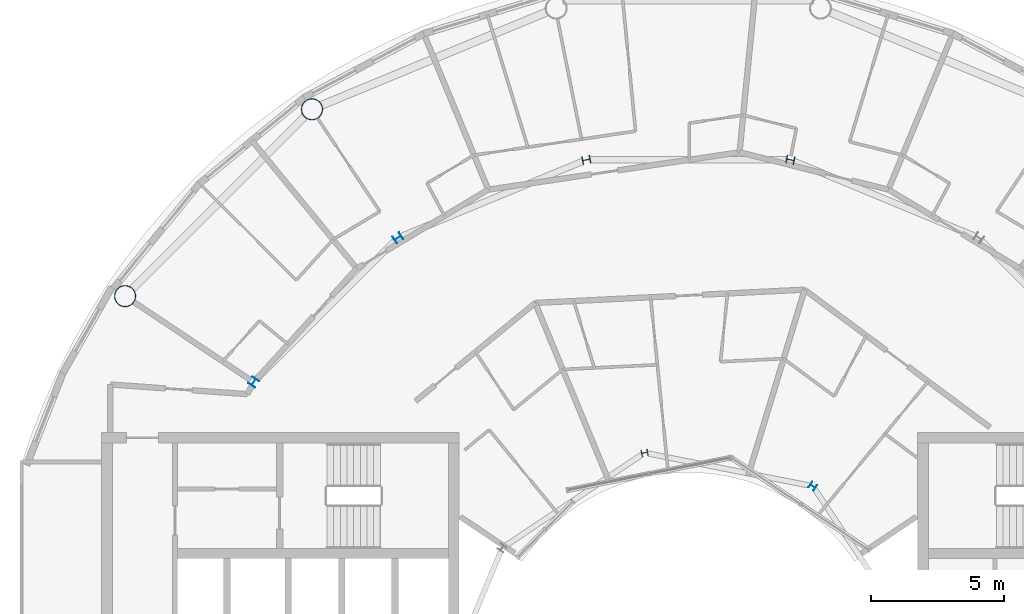
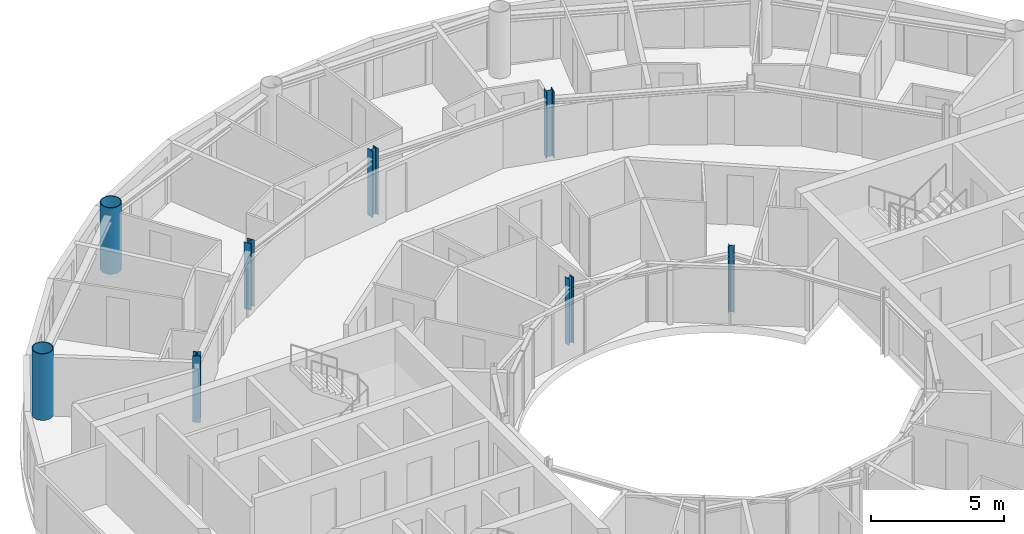
# One storey, part 4 of 22: 8 columns.
"""IFC4 building model written with IfcOpenShell, lengths in metres."""

from ifc_helpers import new_model, si_unit, direction, frame, origin, origin_2d, place, context, subcontext, project, spatial, hollow_circle, i_section, extrude, material, material_profile, profile_set, type_object, element, save


model = new_model("IFC4")

# Units and contexts
model_context = context("Model", 3, precision=1e-05, world=origin(), true_north=direction((0.0, 1.0)))
body_context = subcontext(model_context, "Body", "Model", "MODEL_VIEW")
ifc_project = project(units=[si_unit("LENGTHUNIT", "METRE"), si_unit("AREAUNIT", "SQUARE_METRE"), si_unit("VOLUMEUNIT", "CUBIC_METRE"), si_unit("PLANEANGLEUNIT", "RADIAN"), si_unit("MASSUNIT", "GRAM", prefix="KILO")], contexts=[model_context])

# Site, building, storey
site_placement = place(None, origin())
site = spatial("IfcSite", under=ifc_project, at=site_placement, CompositionType="ELEMENT")
building_placement = place(site_placement, origin())
building = spatial("IfcBuilding", under=site, at=building_placement, Name="Maasbend Ring Residences", CompositionType="ELEMENT")
storey_placement = place(building_placement, frame((0.0, 0.0, 237.10009765625)))
storey = spatial("IfcBuildingStorey", under=building, at=storey_placement, Name="L68", CompositionType="ELEMENT", Elevation=237.10009765625)

# Columns
ifc_material_1 = material(Name="Composite concrete-filled steel tube S460NH / C80/95", Category="concrete")
ifc_material_profile_1 = material_profile(ifc_material_1, hollow_circle(Radius=0.406494140625, WallThickness=0.030029296875, at=origin_2d()), Name="Composite tube column CHS 813x30")
ifc_profile_set_1 = profile_set([ifc_material_profile_1], Name="Composite concrete-filled steel tube S460NH / C80/95")
column_type_1 = type_object("IfcColumnType", Name="Composite tube column CHS 813x30", PredefinedType="COLUMN", material=ifc_profile_set_1)
for number, where, z_axis, x_axis, name in (
    (1, (-14.111572265625, 21.119384765625, 0.0), (0.0, 0.0, 1.0), (1.0, 0.0, 0.0), "Outer column R6"),
    (2, (-21.119384765625, 14.111572265625, 0.0), (0.0, 0.0, 1.0), (1.0, 0.0, 0.0), "Outer column R7"),
):
    element("IfcColumn", number, at=place(storey_placement, frame(where, z_axis=z_axis, x_axis=x_axis)), inside=storey, type_object=column_type_1, Name=name, PredefinedType="COLUMN", context=body_context, shape_type="SweptSolid", body=[
        extrude(hollow_circle(Radius=0.406494140625, WallThickness=0.030029296875, at=origin_2d()), origin(), (0.0, 0.0, 1.0), 3.0498046875),
    ])
ifc_material_2 = material(Name="Steel S355J2", Category="steel")
ifc_material_profile_2 = material_profile(ifc_material_2, i_section(OverallWidth=0.239990234375, OverallDepth=0.22998046875, WebThickness=0.007568359375, FlangeThickness=0.011962890625, FilletRadius=0.02099609375, at=origin_2d()), Name="HEA 240")
ifc_profile_set_2 = profile_set([ifc_material_profile_2], Name="Steel S355J2")
column_type_2 = type_object("IfcColumnType", Name="Steel column HEA 240", PredefinedType="COLUMN", material=ifc_profile_set_2)
for number, where, z_axis, x_axis, name in (
    (3, (4.666748046875, 6.984375, 0.0), (0.0, 0.0, 1.0), (0.55557023302, 0.831469612303, 0.0), "Well ring column R3"),
    (4, (-1.638916015625, 8.238525390625, 0.0), (0.0, 0.0, 1.0), (-0.195090322016, 0.980785280403, 0.0), "Well ring column R5"),
):
    element("IfcColumn", number, at=place(storey_placement, frame(where, z_axis=z_axis, x_axis=x_axis)), inside=storey, type_object=column_type_2, Name=name, PredefinedType="COLUMN", context=body_context, shape_type="SweptSolid", body=[
        extrude(i_section(OverallWidth=0.239990234375, OverallDepth=0.22998046875, WebThickness=0.007568359375, FlangeThickness=0.011962890625, FilletRadius=0.02099609375, at=origin_2d()), origin(), (0.0, 0.0, 1.0), 3.0498046875),
    ])
ifc_material_3 = material(Name="Steel S355J2", Category="steel")
ifc_material_profile_3 = material_profile(ifc_material_3, i_section(OverallWidth=0.300048828125, OverallDepth=0.300048828125, WebThickness=0.010986328125, FlangeThickness=0.01904296875, FilletRadius=0.027099609375, at=origin_2d()), Name="HEB 300")
ifc_profile_set_3 = profile_set([ifc_material_profile_3], Name="Steel S355J2")
column_type_3 = type_object("IfcColumnType", Name="Steel column HEB 300", PredefinedType="COLUMN", material=ifc_profile_set_3)
for number, where, z_axis, x_axis, name in (
    (5, (3.82373046875, 19.223388671875, 0.0), (0.0, 0.0, 1.0), (0.195090322016, 0.980785280403, 0.0), "Corridor ring column R4"),
    (6, (-3.82373046875, 19.223388671875, 0.0), (0.0, 0.0, 1.0), (-0.195090322016, 0.980785280403, 0.0), "Corridor ring column R5"),
    (7, (-10.88916015625, 16.296875, 0.0), (0.0, 0.0, 1.0), (-0.55557023302, 0.831469612303, 0.0), "Corridor ring column R6"),
    (8, (-16.296875, 10.88916015625, 0.0), (0.0, 0.0, 1.0), (-0.831469612303, 0.55557023302, 0.0), "Corridor ring column R7"),
):
    element("IfcColumn", number, at=place(storey_placement, frame(where, z_axis=z_axis, x_axis=x_axis)), inside=storey, type_object=column_type_3, Name=name, PredefinedType="COLUMN", context=body_context, shape_type="SweptSolid", body=[
        extrude(i_section(OverallWidth=0.300048828125, OverallDepth=0.300048828125, WebThickness=0.010986328125, FlangeThickness=0.01904296875, FilletRadius=0.027099609375, at=origin_2d()), origin(), (0.0, 0.0, 1.0), 3.0498046875),
    ])

save(model, "model.ifc")
